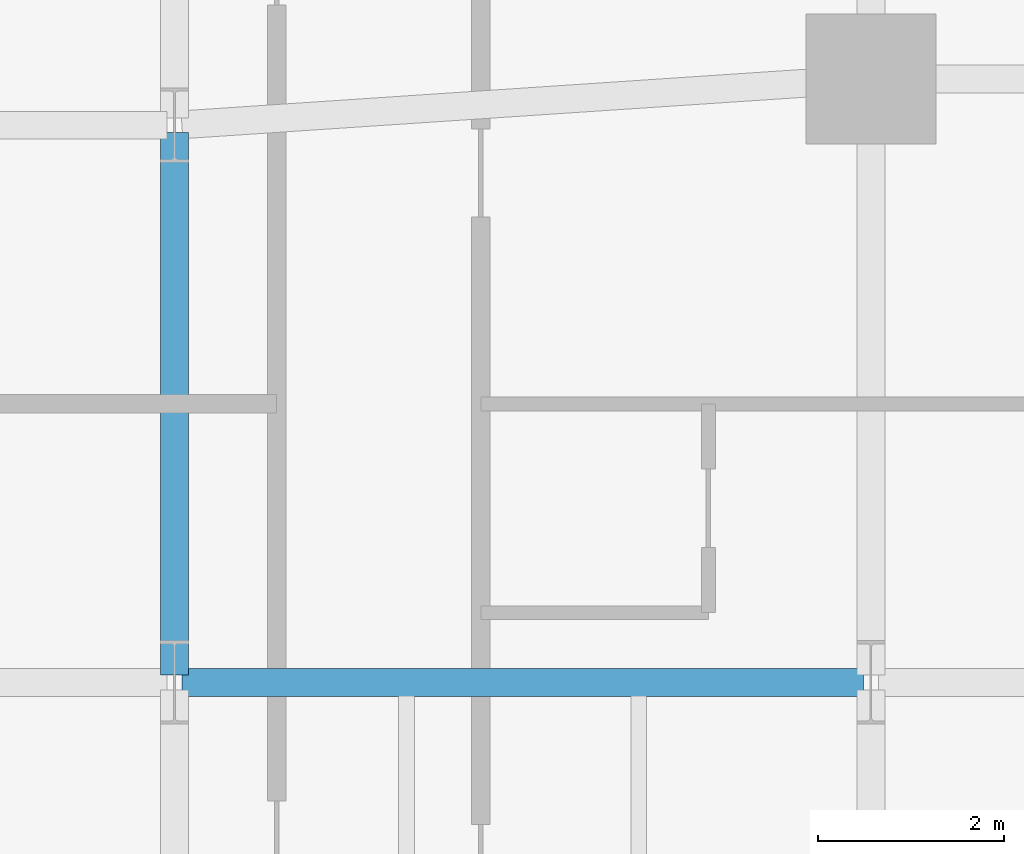
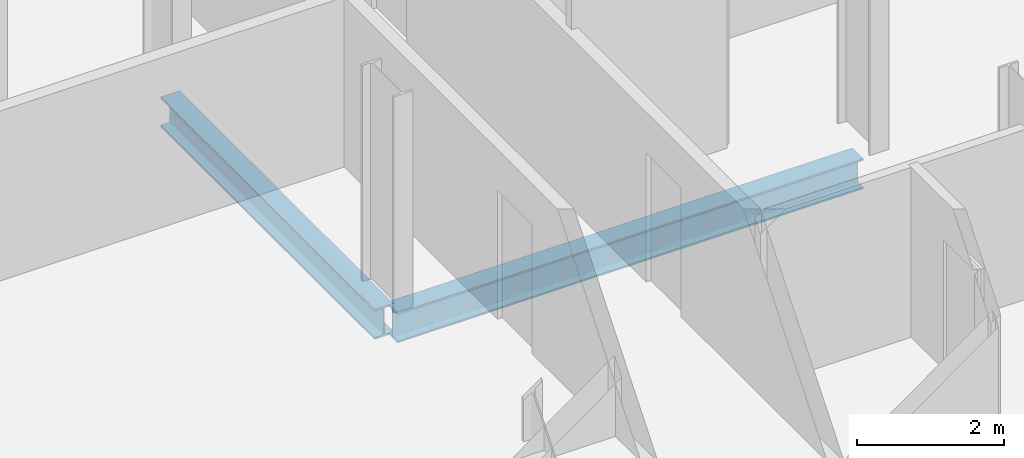
# One storey, part 10 of 32: 2 beams.
"""IFC4 building model written with IfcOpenShell, lengths in metres."""

from ifc_helpers import new_model, si_unit, direction, frame, origin, origin_2d, place, context, subcontext, project, spatial, i_section, extrude, material, material_profile, profile_set, type_object, element, save


model = new_model("IFC4")

# Units and contexts
model_context = context("Model", 3, precision=1e-05, world=origin(), true_north=direction((0.0, 1.0)))
body_context = subcontext(model_context, "Body", "Model", "MODEL_VIEW")
ifc_project = project(units=[si_unit("LENGTHUNIT", "METRE"), si_unit("AREAUNIT", "SQUARE_METRE"), si_unit("VOLUMEUNIT", "CUBIC_METRE"), si_unit("PLANEANGLEUNIT", "RADIAN"), si_unit("MASSUNIT", "GRAM", prefix="KILO")], contexts=[model_context])

# Site, building, storey
site_placement = place(None, origin())
site = spatial("IfcSite", under=ifc_project, at=site_placement, CompositionType="ELEMENT")
building_placement = place(site_placement, origin())
building = spatial("IfcBuilding", under=site, at=building_placement, Name="Catumbela Crestline Tower", CompositionType="ELEMENT")
storey_placement = place(building_placement, frame((0.0, 0.0, 65.4)))
storey = spatial("IfcBuildingStorey", under=building, at=storey_placement, Name="L16", CompositionType="ELEMENT", Elevation=65.4)

# Beams
ifc_material = material(Name="Structural steel S355J2", Category="steel")
ifc_material_profile = material_profile(ifc_material, i_section(OverallWidth=0.3, OverallDepth=0.5, WebThickness=0.0145, FlangeThickness=0.028, FilletRadius=0.027, at=origin_2d()), Name="HEB 500")
ifc_profile_set = profile_set([ifc_material_profile], Name="Structural steel S355J2")
beam_type = type_object("IfcBeamType", Name="BG-HEB500", PredefinedType="BEAM", material=ifc_profile_set)
beam_1_placement = place(storey_placement, frame((8.58, 18.0, -0.51), z_axis=(1.0, 0.0, 0.0), x_axis=(0.0, 1.0, 0.0)))
element("IfcBeam", 1, at=beam_1_placement, inside=storey, type_object=beam_type, Name="L16 Beam BM-L16-WEW55", PredefinedType="BEAM", context=body_context, shape_type="SweptSolid", body=[
    extrude(i_section(OverallWidth=0.3, OverallDepth=0.5, WebThickness=0.0145, FlangeThickness=0.028, FilletRadius=0.027, at=origin_2d()), origin(), (0.0, 0.0, 1.0), 7.34),
])
beam_2_placement = place(storey_placement, frame((8.5, 18.08, -0.51), z_axis=(0.0, 1.0, 0.0), x_axis=(-1.0, 0.0, 0.0)))
element("IfcBeam", 2, at=beam_2_placement, inside=storey, type_object=beam_type, Name="L16 Beam BM-L16-WNS63", PredefinedType="BEAM", context=body_context, shape_type="SweptSolid", body=[
    extrude(i_section(OverallWidth=0.3, OverallDepth=0.5, WebThickness=0.0145, FlangeThickness=0.028, FilletRadius=0.027, at=origin_2d()), origin(), (0.0, 0.0, 1.0), 5.84),
])

save(model, "model.ifc")
